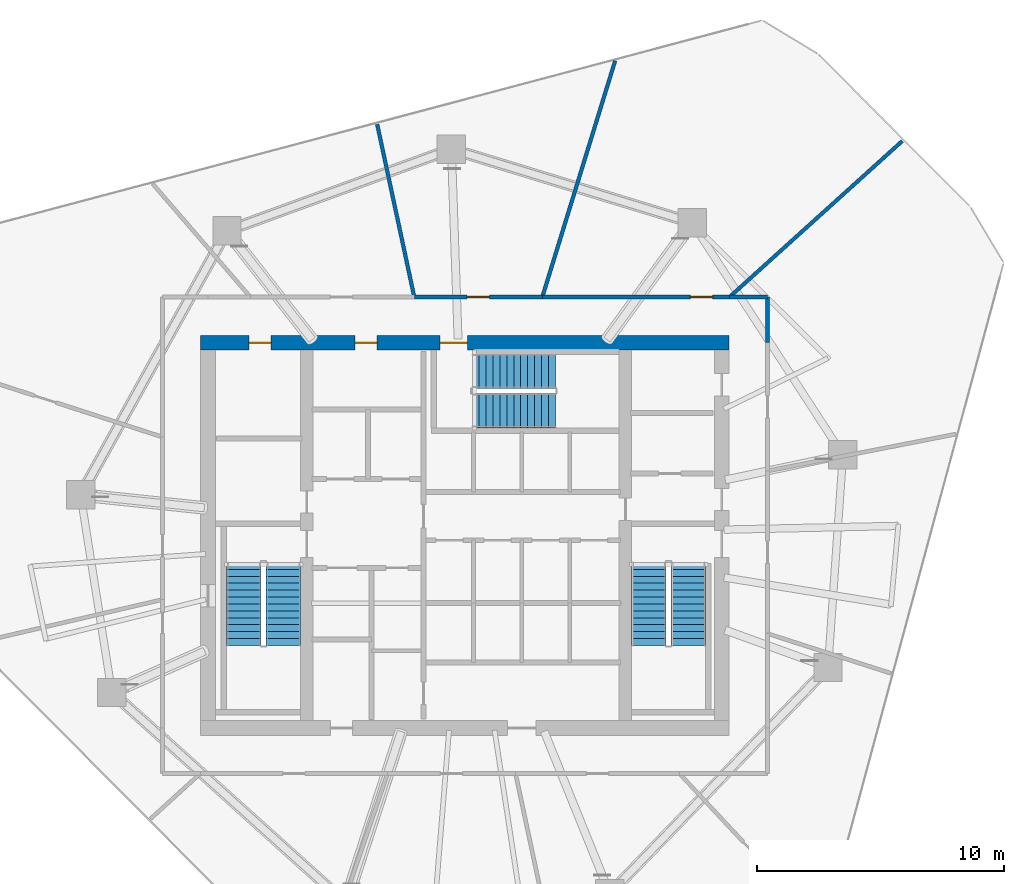
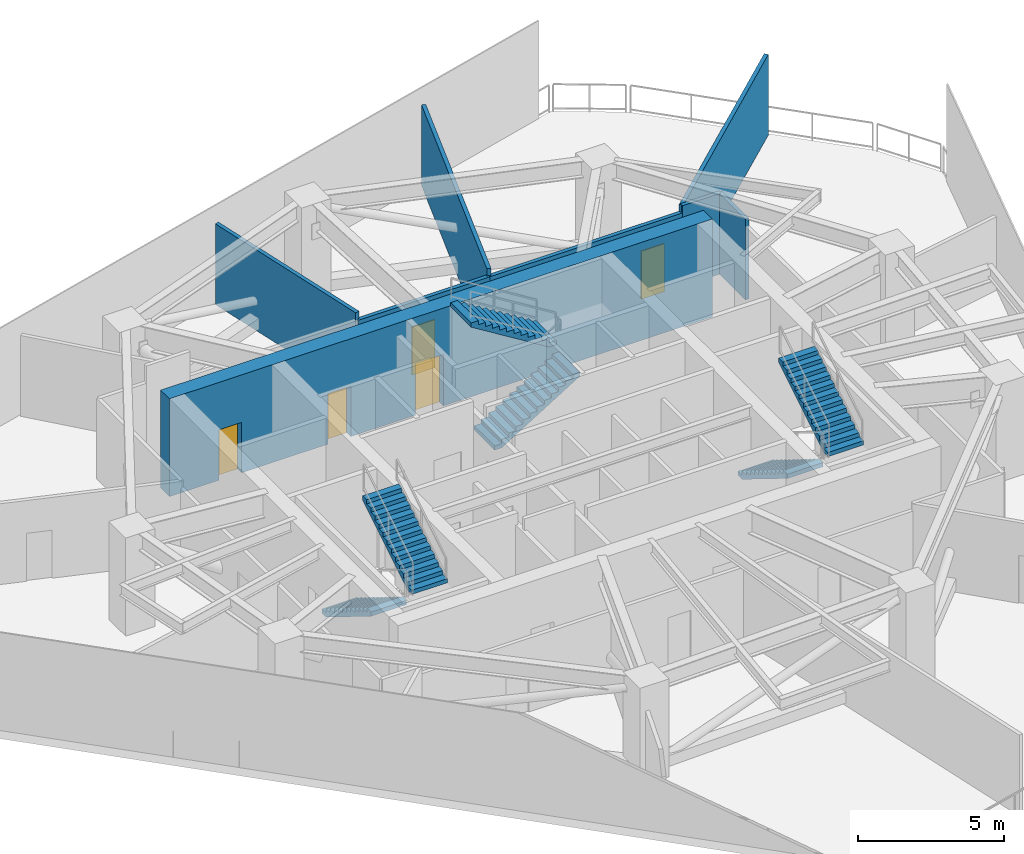
# One storey, part 5 of 7: 8 walls, 6 stair flights, 5 doors, 5 openings, 3 elements without a shape of their own.
"""IFC4 building model written with IfcOpenShell, lengths in metres."""

import ifcopenshell
import ifcopenshell.guid

model = None  # the IFC model being written
_history = None  # IfcOwnerHistory: only IFC2X3 demands one
_inside = {}  # id of a spatial element -> (the spatial element, [elements in it])
_under = {}  # id of a project, library or spatial element -> (it, [spatial elements below it])
_declared = {}  # id of a project -> (the project, [libraries it declares])
_typed = {}  # id of a type object -> (the type object, [elements of that type])
_made_of = {}  # id of a material, layer set ... -> (it, [elements and type objects made of it])


def new_model(schema):
    """Start an empty IFC model of exactly this schema.

    Asked for "IFC4X3", IfcOpenShell would pick the latest addendum, in which some entities
    have other attributes; the version numbers below select the first issue.
    IFC2X3 requires an IfcOwnerHistory on every rooted entity: one is made here for all.
    """
    global model, _history
    if schema == "IFC4X3":
        model = ifcopenshell.file(schema_version=(4, 3, 0, 0))
    else:
        model = ifcopenshell.file(schema=schema)
    _inside.clear()
    _under.clear()
    _declared.clear()
    _typed.clear()
    _made_of.clear()
    _history = None
    if model.schema == "IFC2X3":
        org = make("IfcOrganization", Name="unknown")
        user = make(
            "IfcPersonAndOrganization",
            ThePerson=make("IfcPerson", FamilyName="unknown"),
            TheOrganization=org,
        )
        app = make(
            "IfcApplication",
            ApplicationDeveloper=org,
            Version="unknown",
            ApplicationFullName="unknown",
            ApplicationIdentifier="unknown",
        )
        _history = make(
            "IfcOwnerHistory",
            OwningUser=user,
            OwningApplication=app,
            ChangeAction="ADDED",
            CreationDate=0,
        )
    return model


def make(cls, **values):
    """One entity of the class cls with the attributes given. An attribute that is None is left unset."""
    return model.create_entity(
        cls, **{name: value for name, value in values.items() if value is not None}
    )


def rooted(cls, **values):
    """An entity with a GlobalId (a new one), such as an element, a storey or a relation."""
    return make(cls, GlobalId=ifcopenshell.guid.new(), OwnerHistory=_history, **values)


def si_unit(unit_type, name, prefix=None):
    """IfcSIUnit, for example si_unit("LENGTHUNIT", "METRE", prefix="MILLI")."""
    return make("IfcSIUnit", UnitType=unit_type, Prefix=prefix, Name=name)


def assignment(units):
    """IfcUnitAssignment: the units of a project."""
    return None if units is None else make("IfcUnitAssignment", Units=units)


def point(xyz):
    """IfcCartesianPoint."""
    return None if xyz is None else make("IfcCartesianPoint", Coordinates=xyz)


def direction(xyz):
    """IfcDirection."""
    return None if xyz is None else make("IfcDirection", DirectionRatios=xyz)


def frame(location, z_axis=None, x_axis=None):
    """IfcAxis2Placement3D, a coordinate frame: its origin and axes. An axis left out is left unset."""
    return make(
        "IfcAxis2Placement3D",
        Location=point(location),
        Axis=direction(z_axis),
        RefDirection=direction(x_axis),
    )


def frame_2d(location, x_axis=None):
    """IfcAxis2Placement2D, a coordinate frame in the plane: its origin and x axis."""
    return make(
        "IfcAxis2Placement2D", Location=point(location), RefDirection=direction(x_axis)
    )


def origin():
    """The frame at (0, 0, 0) with its axes left unset."""
    return frame((0.0, 0.0, 0.0))


def place(relative_to, where):
    """IfcLocalPlacement: puts the frame where relative to a parent placement (None: the world)."""
    return make(
        "IfcLocalPlacement", PlacementRelTo=relative_to, RelativePlacement=where
    )


def context(
    kind, dimensions, precision=None, world=None, true_north=None, identifier=None
):
    """IfcGeometricRepresentationContext, for example the 3D "Model" context."""
    return make(
        "IfcGeometricRepresentationContext",
        ContextIdentifier=identifier,
        ContextType=kind,
        CoordinateSpaceDimension=dimensions,
        Precision=precision,
        WorldCoordinateSystem=world,
        TrueNorth=true_north,
    )


def subcontext(parent, identifier, kind, view, scale=None):
    """IfcGeometricRepresentationSubContext, for example "Body" below "Model"."""
    return make(
        "IfcGeometricRepresentationSubContext",
        ContextIdentifier=identifier,
        ContextType=kind,
        ParentContext=parent,
        TargetScale=scale,
        TargetView=view,
    )


def project(units=None, contexts=None):
    """IfcProject with its units and contexts."""
    return rooted(
        "IfcProject",
        Name="project",
        RepresentationContexts=contexts,
        UnitsInContext=assignment(units),
    )


def spatial(cls, under=None, at=None, **own):
    """A site, building, storey or space (cls), placed at a placement, below another one or the project."""
    s = rooted(cls, ObjectPlacement=at, **own)
    if under is not None:
        _under.setdefault(under.id(), (under, []))[1].append(s)
    return s


def polyline(points):
    """IfcPolyline through the points."""
    return make("IfcPolyline", Points=[point(p) for p in points])


def profile(cls, at=None, kind="AREA", **sizes):
    """A parametric profile (cls). Its sizes go by their IFC names, for example OverallWidth=200.0."""
    return make(cls, ProfileType=kind, Position=at, **sizes)


def rectangle(**sizes):
    """IfcRectangleProfileDef."""
    return profile("IfcRectangleProfileDef", **sizes)


def outline(outer, holes=None, kind="AREA"):
    """IfcArbitraryClosedProfileDef: a profile drawn as a closed curve; with holes, ...WithVoids."""
    if holes is None:
        return make("IfcArbitraryClosedProfileDef", ProfileType=kind, OuterCurve=outer)
    return make(
        "IfcArbitraryProfileDefWithVoids",
        ProfileType=kind,
        OuterCurve=outer,
        InnerCurves=holes,
    )


def extrude(swept, where, along, depth):
    """IfcExtrudedAreaSolid: the profile swept, set in the frame where, extruded along a direction by depth."""
    return make(
        "IfcExtrudedAreaSolid",
        SweptArea=swept,
        Position=where,
        ExtrudedDirection=direction(along),
        Depth=depth,
    )


def shape(context_of_items, identifier, shape_type, items):
    """IfcShapeRepresentation: the items that make up one representation, for example the "Body"."""
    return make(
        "IfcShapeRepresentation",
        ContextOfItems=context_of_items,
        RepresentationIdentifier=identifier,
        RepresentationType=shape_type,
        Items=items,
    )


def material(Name=None, Category=None):
    """IfcMaterial."""
    return make("IfcMaterial", Name=Name, Category=Category)


def layer(
    of_material, thickness, ventilated=None, Name=None, Category=None, Priority=None
):
    """IfcMaterialLayer: one layer of a wall or slab, of a material (None: an air gap)."""
    return make(
        "IfcMaterialLayer",
        Material=of_material,
        LayerThickness=thickness,
        IsVentilated=ventilated,
        Name=Name,
        Category=Category,
        Priority=Priority,
    )


def layer_set(layers, Name=None):
    """IfcMaterialLayerSet."""
    return make("IfcMaterialLayerSet", MaterialLayers=layers, LayerSetName=Name)


def made_of(thing, what):
    """Note that an element or type object is made of a material, layer set ...; save() writes the relation."""
    if what is not None:
        _made_of.setdefault(what.id(), (what, []))[1].append(thing)
    return thing


def type_object(cls, material=None, **own):
    """A type object (cls), such as IfcWallType, which elements share."""
    return made_of(rooted(cls, **own), material)


def element(
    cls,
    number,
    at=None,
    inside=None,
    cuts=None,
    type_object=None,
    material=None,
    context=None,
    identifier="Body",
    shape_type=None,
    held_by="IfcProductDefinitionShape",
    body=None,
    shapes=None,
    **own,
):
    """One element of the class cls, such as IfcWall. Its Tag is "e" and its number.

    at: its placement. inside: the storey or other place that contains it. cuts: it is an
    opening in that element (IfcRelVoidsElement). A single representation is given by context,
    identifier, shape_type and body (its items); several are given by shapes. held_by: the class
    of the entity that holds the representations. save() writes the other relations.
    """
    e = rooted(cls, Tag="e%d" % number, ObjectPlacement=at, **own)
    if body is not None:
        shapes = [shape(context, identifier, shape_type, body)]
    if shapes is not None:
        e.Representation = make(held_by, Representations=shapes)
    if inside is not None:
        _inside.setdefault(inside.id(), (inside, []))[1].append(e)
    if cuts is not None:
        rooted(
            "IfcRelVoidsElement", RelatingBuildingElement=cuts, RelatedOpeningElement=e
        )
    if type_object is not None:
        _typed.setdefault(type_object.id(), (type_object, []))[1].append(e)
    return made_of(e, material)


def fill(opening, filler):
    """IfcRelFillsElement: the door or window that sits in an opening."""
    return rooted(
        "IfcRelFillsElement",
        RelatingOpeningElement=opening,
        RelatedBuildingElement=filler,
    )


def aggregate(whole, parts):
    """IfcRelAggregates: a whole, such as a stair, and the parts it consists of."""
    return rooted("IfcRelAggregates", RelatingObject=whole, RelatedObjects=parts)


def save(model, path):
    """Write the relations noted so far, then the file.

    IfcRelAggregates (storeys below a building ...), IfcRelContainedInSpatialStructure (elements
    in a storey), IfcRelDefinesByType, IfcRelAssociatesMaterial and IfcRelDeclares: one each for
    every whole, place, type object, material and project.
    """
    for whole, parts in _under.values():
        aggregate(whole, parts)
    for where, things in _inside.values():
        rooted(
            "IfcRelContainedInSpatialStructure",
            RelatedElements=things,
            RelatingStructure=where,
        )
    for kind, things in _typed.values():
        rooted("IfcRelDefinesByType", RelatedObjects=things, RelatingType=kind)
    for what, things in _made_of.values():
        rooted("IfcRelAssociatesMaterial", RelatedObjects=things, RelatingMaterial=what)
    for by, libraries in _declared.values():
        rooted("IfcRelDeclares", RelatingContext=by, RelatedDefinitions=libraries)
    model.write(path)


model = new_model("IFC4")

# Units and contexts
model_context = context("Model", 3, precision=1e-05, world=origin(), true_north=direction((0.0, 1.0)))
body_context = subcontext(model_context, "Body", "Model", "MODEL_VIEW")
ifc_project = project(units=[si_unit("LENGTHUNIT", "METRE"), si_unit("AREAUNIT", "SQUARE_METRE"), si_unit("VOLUMEUNIT", "CUBIC_METRE"), si_unit("PLANEANGLEUNIT", "RADIAN"), si_unit("MASSUNIT", "GRAM", prefix="KILO")], contexts=[model_context])

# Site, building, storey
site_placement = place(None, origin())
site = spatial("IfcSite", under=ifc_project, at=site_placement, CompositionType="ELEMENT")
building_placement = place(site_placement, origin())
building = spatial("IfcBuilding", under=site, at=building_placement, Name="Qarnah Convention Tower", CompositionType="ELEMENT")
storey_placement = place(building_placement, frame((0.0, 0.0, 121.199951171875)))
storey = spatial("IfcBuildingStorey", under=building, at=storey_placement, Name="L32", CompositionType="ELEMENT", Elevation=121.199951171875)

# Wall, openings, doors
ifc_material_1 = material(Name="Concrete C60/75", Category="concrete")
ifc_layer_1 = layer(ifc_material_1, 0.60009765625)
ifc_layer_set_1 = layer_set([ifc_layer_1], Name="Concrete C60/75")
wall_type_1 = type_object("IfcWallType", Name="WL-CORE-600", PredefinedType="SHEAR", material=ifc_layer_set_1)
wall_1_placement = place(storey_placement, frame((26.5, 34.199951171875, 0.0), z_axis=(0.0, 0.0, 1.0), x_axis=(1.0, 0.0, 0.0)))
wall_1 = element("IfcWall", 1, at=wall_1_placement, inside=storey, type_object=wall_type_1, Name="L32 core north shear wall", PredefinedType="SHEAR", context=body_context, shape_type="SweptSolid", body=[
    extrude(rectangle(XDim=21.39990234375, YDim=0.60009765625, at=frame_2d((10.699951171875, 0.0))), origin(), (0.0, 0.0, 1.0), 4.080078125),
])
opening_1_placement = place(wall_1_placement, frame((9.699951171875, 0.0, 0.0)))
opening_1 = element("IfcOpeningElement", 2, at=opening_1_placement, cuts=wall_1, Name="Opening D-3203", PredefinedType="OPENING", context=body_context, shape_type="SweptSolid", body=[
    extrude(rectangle(XDim=1.10009765625, YDim=2.14990234375, at=frame_2d((0.550048828125, 1.074951171875))), frame((0.0, 0.31005859375, 0.0), z_axis=(0.0, -1.0, 0.0), x_axis=(1.0, 0.0, 0.0)), (0.0, 0.0, 1.0), 0.6201171875),
])
opening_2_placement = place(wall_1_placement, frame((1.949951171875, 0.0, 0.0)))
opening_2 = element("IfcOpeningElement", 3, at=opening_2_placement, cuts=wall_1, Name="Opening D-3209", PredefinedType="OPENING", context=body_context, shape_type="SweptSolid", body=[
    extrude(rectangle(XDim=0.89990234375, YDim=2.10009765625, at=frame_2d((0.449951171875, 1.050048828125))), frame((0.0, 0.31005859375, 0.0), z_axis=(0.0, -1.0, 0.0), x_axis=(1.0, 0.0, 0.0)), (0.0, 0.0, 1.0), 0.6201171875),
])
opening_3_placement = place(wall_1_placement, frame((6.25, 0.0, 0.0)))
opening_3 = element("IfcOpeningElement", 4, at=opening_3_placement, cuts=wall_1, Name="Opening D-3210", PredefinedType="OPENING", context=body_context, shape_type="SweptSolid", body=[
    extrude(rectangle(XDim=0.89990234375, YDim=2.10009765625, at=frame_2d((0.449951171875, 1.050048828125))), frame((0.0, 0.31005859375, 0.0), z_axis=(0.0, -1.0, 0.0), x_axis=(1.0, 0.0, 0.0)), (0.0, 0.0, 1.0), 0.6201171875),
])
ifc_material_2 = material(Name="Structural steel S355JR", Category="steel")
door_type_1 = type_object("IfcDoorType", Name="DT-RISER-900", OperationType="NOTDEFINED", PredefinedType="DOOR", material=ifc_material_2)
door_1_placement = place(opening_2_placement, origin())
door_1 = element("IfcDoor", 5, at=door_1_placement, inside=storey, type_object=door_type_1, Name="Door D-3209", OperationType="SINGLE_SWING_RIGHT", OverallHeight=2.10009765625, OverallWidth=0.89990234375, PredefinedType="DOOR", context=body_context, shape_type="SweptSolid", body=[
    extrude(rectangle(XDim=0.89990234375, YDim=2.10009765625, at=frame_2d((0.449951171875, 1.050048828125))), frame((0.0, 0.02490234375, 0.0), z_axis=(0.0, -1.0, 0.0), x_axis=(1.0, 0.0, 0.0)), (0.0, 0.0, 1.0), 0.050048828125),
])
fill(opening_2, door_1)
door_2_placement = place(opening_3_placement, origin())
door_2 = element("IfcDoor", 6, at=door_2_placement, inside=storey, type_object=door_type_1, Name="Door D-3210", OperationType="SINGLE_SWING_LEFT", OverallHeight=2.10009765625, OverallWidth=0.89990234375, PredefinedType="DOOR", context=body_context, shape_type="SweptSolid", body=[
    extrude(rectangle(XDim=0.89990234375, YDim=2.10009765625, at=frame_2d((0.449951171875, 1.050048828125))), frame((0.0, 0.02490234375, 0.0), z_axis=(0.0, -1.0, 0.0), x_axis=(1.0, 0.0, 0.0)), (0.0, 0.0, 1.0), 0.050048828125),
])
fill(opening_3, door_2)
door_type_2 = type_object("IfcDoorType", Name="DT-STAIR-1100", OperationType="NOTDEFINED", PredefinedType="DOOR", material=ifc_material_2)
door_3_placement = place(opening_1_placement, origin())
door_3 = element("IfcDoor", 7, at=door_3_placement, inside=storey, type_object=door_type_2, Name="Door D-3203", OperationType="SINGLE_SWING_RIGHT", OverallHeight=2.14990234375, OverallWidth=1.10009765625, PredefinedType="DOOR", context=body_context, shape_type="SweptSolid", body=[
    extrude(rectangle(XDim=1.10009765625, YDim=2.14990234375, at=frame_2d((0.550048828125, 1.074951171875))), frame((0.0, 0.02490234375, 0.0), z_axis=(0.0, -1.0, 0.0), x_axis=(1.0, 0.0, 0.0)), (0.0, 0.0, 1.0), 0.050048828125),
])
fill(opening_1, door_3)

# Walls
ifc_material_3 = material(Name="Gypsum partition board")
ifc_layer_2 = layer(ifc_material_3, 0.14990234375)
ifc_layer_set_2 = layer_set([ifc_layer_2], Name="Gypsum partition board")
wall_type_2 = type_object("IfcWallType", Name="WL-SUITE-150", PredefinedType="PARTITIONING", material=ifc_layer_set_2)
wall_2_placement = place(storey_placement, frame((54.9130859375, 42.367919921875, 0.0), z_axis=(0.0, 0.0, 1.0), x_axis=(-0.742164975515, -0.670217240242, 0.0)))
element("IfcWall", 8, at=wall_2_placement, inside=storey, type_object=wall_type_2, Name="L32 interior wall IW-L32-R-01", PredefinedType="PARTITIONING", context=body_context, shape_type="SweptSolid", body=[
    extrude(rectangle(XDim=9.426513671875, YDim=0.14990234375, at=frame_2d((4.71337890625, 0.0))), origin(), (0.0, 0.0, 1.0), 3.364990234375),
])
wall_3_placement = place(storey_placement, frame((47.9169921875, 36.050048828125, 0.0), z_axis=(0.0, 0.0, 1.0), x_axis=(1.0, 0.0, 0.0)))
element("IfcWall", 9, at=wall_3_placement, inside=storey, type_object=wall_type_2, Name="L32 interior wall IW-L32-R-02", PredefinedType="PARTITIONING", context=body_context, shape_type="SweptSolid", body=[
    extrude(rectangle(XDim=1.532958984375, YDim=0.14990234375, at=frame_2d((0.7666015625, 0.0))), origin(), (0.0, 0.0, 1.0), 3.364990234375),
])
wall_4_placement = place(storey_placement, frame((49.449951171875, 36.050048828125, 0.0), z_axis=(0.0, 0.0, 1.0), x_axis=(0.0, -1.0, 0.0)))
element("IfcWall", 10, at=wall_4_placement, inside=storey, type_object=wall_type_2, Name="L32 interior wall IW-L32-R-03", PredefinedType="PARTITIONING", context=body_context, shape_type="SweptSolid", body=[
    extrude(rectangle(XDim=1.85009765625, YDim=0.14990234375, at=frame_2d((0.925048828125, 0.0))), origin(), (0.0, 0.0, 1.0), 3.364990234375),
])
wall_5_placement = place(storey_placement, frame((43.282958984375, 45.611083984375, 0.0), z_axis=(0.0, 0.0, 1.0), x_axis=(-0.294646502068, -0.955606319998, 0.0)))
element("IfcWall", 11, at=wall_5_placement, inside=storey, type_object=wall_type_2, Name="L32 interior wall IW-L32-R-06", PredefinedType="PARTITIONING", context=body_context, shape_type="SweptSolid", body=[
    extrude(rectangle(XDim=10.005126953125, YDim=0.14990234375, at=frame_2d((5.00244140625, 0.0))), origin(), (0.0, 0.0, 1.0), 3.364990234375),
])

# Wall, opening, door
wall_6_placement = place(storey_placement, frame((40.3349609375, 36.050048828125, 0.0), z_axis=(0.0, 0.0, 1.0), x_axis=(1.0, 0.0, 0.0)))
wall_6 = element("IfcWall", 12, at=wall_6_placement, inside=storey, type_object=wall_type_2, Name="L32 interior wall IW-L32-R-07", PredefinedType="PARTITIONING", context=body_context, shape_type="SweptSolid", body=[
    extrude(rectangle(XDim=7.58203125, YDim=0.14990234375, at=frame_2d((3.791015625, 0.0))), origin(), (0.0, 0.0, 1.0), 3.06494140625),
])
opening_4_placement = place(wall_6_placement, frame((5.9990234375, 0.0, 0.0)))
opening_4 = element("IfcOpeningElement", 13, at=opening_4_placement, cuts=wall_6, Name="Opening D-3217", PredefinedType="OPENING", context=body_context, shape_type="SweptSolid", body=[
    extrude(rectangle(XDim=0.89990234375, YDim=2.0, at=frame_2d((0.449951171875, 1.0))), frame((0.0, 0.0849609375, 0.0), z_axis=(0.0, -1.0, 0.0), x_axis=(1.0, 0.0, 0.0)), (0.0, 0.0, 1.0), 0.169921875),
])
door_type_3 = type_object("IfcDoorType", Name="DT-PLANT-900", OperationType="NOTDEFINED", PredefinedType="DOOR", material=ifc_material_2)
door_4_placement = place(opening_4_placement, origin())
door_4 = element("IfcDoor", 14, at=door_4_placement, inside=storey, type_object=door_type_3, Name="Door D-3217", OperationType="SINGLE_SWING_RIGHT", OverallHeight=2.0, OverallWidth=0.89990234375, PredefinedType="DOOR", context=body_context, shape_type="SweptSolid", body=[
    extrude(rectangle(XDim=0.89990234375, YDim=2.0, at=frame_2d((0.449951171875, 1.0))), frame((0.0, 0.02490234375, 0.0), z_axis=(0.0, -1.0, 0.0), x_axis=(1.0, 0.0, 0.0)), (0.0, 0.0, 1.0), 0.050048828125),
])
fill(opening_4, door_4)

# Wall
wall_7_placement = place(storey_placement, frame((33.64892578125, 43.0380859375, 0.0), z_axis=(0.0, 0.0, 1.0), x_axis=(0.209871997411, -0.977728870752, 0.0)))
element("IfcWall", 15, at=wall_7_placement, inside=storey, type_object=wall_type_2, Name="L32 interior wall IW-L32-R-08", PredefinedType="PARTITIONING", context=body_context, shape_type="SweptSolid", body=[
    extrude(rectangle(XDim=7.147216796875, YDim=0.14990234375, at=frame_2d((3.57373046875, 0.0))), origin(), (0.0, 0.0, 1.0), 3.364990234375),
])

# Wall, opening, door
wall_8_placement = place(storey_placement, frame((35.14892578125, 36.050048828125, 0.0), z_axis=(0.0, 0.0, 1.0), x_axis=(1.0, 0.0, 0.0)))
wall_8 = element("IfcWall", 16, at=wall_8_placement, inside=storey, type_object=wall_type_2, Name="L32 interior wall IW-L32-R-09", PredefinedType="PARTITIONING", context=body_context, shape_type="SweptSolid", body=[
    extrude(rectangle(XDim=5.18603515625, YDim=0.14990234375, at=frame_2d((2.593017578125, 0.0))), origin(), (0.0, 0.0, 1.0), 3.06494140625),
])
opening_5_placement = place(wall_8_placement, frame((2.14306640625, 0.0, 0.0)))
opening_5 = element("IfcOpeningElement", 17, at=opening_5_placement, cuts=wall_8, Name="Opening D-3218", PredefinedType="OPENING", context=body_context, shape_type="SweptSolid", body=[
    extrude(rectangle(XDim=0.89990234375, YDim=2.0, at=frame_2d((0.449951171875, 1.0))), frame((0.0, 0.0849609375, 0.0), z_axis=(0.0, -1.0, 0.0), x_axis=(1.0, 0.0, 0.0)), (0.0, 0.0, 1.0), 0.169921875),
])
door_5_placement = place(opening_5_placement, origin())
door_5 = element("IfcDoor", 18, at=door_5_placement, inside=storey, type_object=door_type_3, Name="Door D-3218", OperationType="SINGLE_SWING_LEFT", OverallHeight=2.0, OverallWidth=0.89990234375, PredefinedType="DOOR", context=body_context, shape_type="SweptSolid", body=[
    extrude(rectangle(XDim=0.89990234375, YDim=2.0, at=frame_2d((0.449951171875, 1.0))), frame((0.0, 0.02490234375, 0.0), z_axis=(0.0, -1.0, 0.0), x_axis=(1.0, 0.0, 0.0)), (0.0, 0.0, 1.0), 0.050048828125),
])
fill(opening_5, door_5)

# Stair, stair flights
ifc_material_4 = material(Name="Concrete C50/60", Category="concrete")
stair_type = type_object("IfcStairType", Name="STR-PLT", PredefinedType="HALF_TURN_STAIR", material=ifc_material_4)
stair_1_placement = place(storey_placement, origin())
stair_1 = element("IfcStair", 19, at=stair_1_placement, inside=storey, type_object=stair_type, Name="L32 Core exit stair ST-1", PredefinedType="HALF_TURN_STAIR")
stair_flight_type = type_object("IfcStairFlightType", Name="FLT-PLT", PredefinedType="STRAIGHT", material=ifc_material_4)
stair_flight_1_placement = place(storey_placement, frame((28.25, 25.300048828125, 0.0), z_axis=(0.0, 0.0, 1.0), x_axis=(0.0, -1.0, 0.0)))
stair_flight_1 = element("IfcStairFlight", 20, at=stair_flight_1_placement, type_object=stair_flight_type, Name="ST-1 flight 1", NumberOfRisers=13, NumberOfTreads=12, PredefinedType="STRAIGHT", RiserHeight=0.173076923, TreadLength=0.28, context=body_context, shape_type="SweptSolid", body=[
    extrude(outline(polyline([(0.0, 0.0), (0.0, 0.173095703125), (0.280029296875, 0.173095703125), (0.280029296875, 0.34619140625), (0.56005859375, 0.34619140625), (0.56005859375, 0.519287109375), (0.840087890625, 0.519287109375), (0.840087890625, 0.6923828125), (1.1201171875, 0.6923828125), (1.1201171875, 0.865478515625), (1.39990234375, 0.865478515625), (1.39990234375, 1.03857421875), (1.679931640625, 1.03857421875), (1.679931640625, 1.21142578125), (1.9599609375, 1.21142578125), (1.9599609375, 1.384521484375), (2.239990234375, 1.384521484375), (2.239990234375, 1.5576171875), (2.52001953125, 1.5576171875), (2.52001953125, 1.730712890625), (2.800048828125, 1.730712890625), (2.800048828125, 1.90380859375), (3.080078125, 1.90380859375), (3.080078125, 2.076904296875), (3.360107421875, 2.076904296875), (3.360107421875, 2.25), (3.360107421875, 1.900634765625), (0.28515625, 0.0), (0.0, 0.0)])), frame((0.0, 0.699951171875, 0.0), z_axis=(0.0, -1.0, 0.0), x_axis=(1.0, 0.0, 0.0)), (0.0, 0.0, 1.0), 1.39990234375),
])
stair_flight_2_placement = place(storey_placement, frame((29.85009765625, 21.93994140625, 2.25), z_axis=(0.0, 0.0, 1.0), x_axis=(0.0, 1.0, 0.0)))
stair_flight_2 = element("IfcStairFlight", 21, at=stair_flight_2_placement, type_object=stair_flight_type, Name="ST-1 flight 2", NumberOfRisers=13, NumberOfTreads=12, PredefinedType="STRAIGHT", RiserHeight=0.173076923, TreadLength=0.28, context=body_context, shape_type="SweptSolid", body=[
    extrude(outline(polyline([(0.0, 0.0), (0.0, 0.173095703125), (0.280029296875, 0.173095703125), (0.280029296875, 0.34619140625), (0.56005859375, 0.34619140625), (0.56005859375, 0.519287109375), (0.840087890625, 0.519287109375), (0.840087890625, 0.6923828125), (1.1201171875, 0.6923828125), (1.1201171875, 0.865478515625), (1.39990234375, 0.865478515625), (1.39990234375, 1.03857421875), (1.679931640625, 1.03857421875), (1.679931640625, 1.21142578125), (1.9599609375, 1.21142578125), (1.9599609375, 1.384521484375), (2.239990234375, 1.384521484375), (2.239990234375, 1.5576171875), (2.52001953125, 1.5576171875), (2.52001953125, 1.730712890625), (2.800048828125, 1.730712890625), (2.800048828125, 1.90380859375), (3.080078125, 1.90380859375), (3.080078125, 2.076904296875), (3.360107421875, 2.076904296875), (3.360107421875, 2.25), (3.360107421875, 1.900634765625), (0.28515625, 0.0), (0.0, 0.0)])), frame((0.0, 0.699951171875, 0.0), z_axis=(0.0, -1.0, 0.0), x_axis=(1.0, 0.0, 0.0)), (0.0, 0.0, 1.0), 1.39990234375),
])
aggregate(stair_1, [stair_flight_1, stair_flight_2])

stair_2_placement = place(storey_placement, origin())
stair_2 = element("IfcStair", 22, at=stair_2_placement, inside=storey, type_object=stair_type, Name="L32 Core exit stair ST-2", PredefinedType="HALF_TURN_STAIR")
stair_flight_3_placement = place(storey_placement, frame((44.64990234375, 25.300048828125, 0.0), z_axis=(0.0, 0.0, 1.0), x_axis=(0.0, -1.0, 0.0)))
stair_flight_3 = element("IfcStairFlight", 23, at=stair_flight_3_placement, type_object=stair_flight_type, Name="ST-2 flight 1", NumberOfRisers=13, NumberOfTreads=12, PredefinedType="STRAIGHT", RiserHeight=0.173076923, TreadLength=0.28, context=body_context, shape_type="SweptSolid", body=[
    extrude(outline(polyline([(0.0, 0.0), (0.0, 0.173095703125), (0.280029296875, 0.173095703125), (0.280029296875, 0.34619140625), (0.56005859375, 0.34619140625), (0.56005859375, 0.519287109375), (0.840087890625, 0.519287109375), (0.840087890625, 0.6923828125), (1.1201171875, 0.6923828125), (1.1201171875, 0.865478515625), (1.39990234375, 0.865478515625), (1.39990234375, 1.03857421875), (1.679931640625, 1.03857421875), (1.679931640625, 1.21142578125), (1.9599609375, 1.21142578125), (1.9599609375, 1.384521484375), (2.239990234375, 1.384521484375), (2.239990234375, 1.5576171875), (2.52001953125, 1.5576171875), (2.52001953125, 1.730712890625), (2.800048828125, 1.730712890625), (2.800048828125, 1.90380859375), (3.080078125, 1.90380859375), (3.080078125, 2.076904296875), (3.360107421875, 2.076904296875), (3.360107421875, 2.25), (3.360107421875, 1.900634765625), (0.28515625, 0.0), (0.0, 0.0)])), frame((0.0, 0.699951171875, 0.0), z_axis=(0.0, -1.0, 0.0), x_axis=(1.0, 0.0, 0.0)), (0.0, 0.0, 1.0), 1.39990234375),
])
stair_flight_4_placement = place(storey_placement, frame((46.25, 21.93994140625, 2.25), z_axis=(0.0, 0.0, 1.0), x_axis=(0.0, 1.0, 0.0)))
stair_flight_4 = element("IfcStairFlight", 24, at=stair_flight_4_placement, type_object=stair_flight_type, Name="ST-2 flight 2", NumberOfRisers=13, NumberOfTreads=12, PredefinedType="STRAIGHT", RiserHeight=0.173076923, TreadLength=0.28, context=body_context, shape_type="SweptSolid", body=[
    extrude(outline(polyline([(0.0, 0.0), (0.0, 0.173095703125), (0.280029296875, 0.173095703125), (0.280029296875, 0.34619140625), (0.56005859375, 0.34619140625), (0.56005859375, 0.519287109375), (0.840087890625, 0.519287109375), (0.840087890625, 0.6923828125), (1.1201171875, 0.6923828125), (1.1201171875, 0.865478515625), (1.39990234375, 0.865478515625), (1.39990234375, 1.03857421875), (1.679931640625, 1.03857421875), (1.679931640625, 1.21142578125), (1.9599609375, 1.21142578125), (1.9599609375, 1.384521484375), (2.239990234375, 1.384521484375), (2.239990234375, 1.5576171875), (2.52001953125, 1.5576171875), (2.52001953125, 1.730712890625), (2.800048828125, 1.730712890625), (2.800048828125, 1.90380859375), (3.080078125, 1.90380859375), (3.080078125, 2.076904296875), (3.360107421875, 2.076904296875), (3.360107421875, 2.25), (3.360107421875, 1.900634765625), (0.28515625, 0.0), (0.0, 0.0)])), frame((0.0, 0.699951171875, 0.0), z_axis=(0.0, -1.0, 0.0), x_axis=(1.0, 0.0, 0.0)), (0.0, 0.0, 1.0), 1.39990234375),
])
aggregate(stair_2, [stair_flight_3, stair_flight_4])

stair_3_placement = place(storey_placement, origin())
stair_3 = element("IfcStair", 25, at=stair_3_placement, inside=storey, type_object=stair_type, Name="L32 Core exit stair ST-3", PredefinedType="HALF_TURN_STAIR")
stair_flight_5_placement = place(storey_placement, frame((37.5, 31.449951171875, 0.0), z_axis=(0.0, 0.0, 1.0), x_axis=(1.0, 0.0, 0.0)))
stair_flight_5 = element("IfcStairFlight", 26, at=stair_flight_5_placement, type_object=stair_flight_type, Name="ST-3 flight 1", NumberOfRisers=13, NumberOfTreads=12, PredefinedType="STRAIGHT", RiserHeight=0.173076923, TreadLength=0.28, context=body_context, shape_type="SweptSolid", body=[
    extrude(outline(polyline([(0.0, 0.0), (0.0, 0.173095703125), (0.280029296875, 0.173095703125), (0.280029296875, 0.34619140625), (0.56005859375, 0.34619140625), (0.56005859375, 0.519287109375), (0.840087890625, 0.519287109375), (0.840087890625, 0.6923828125), (1.1201171875, 0.6923828125), (1.1201171875, 0.865478515625), (1.39990234375, 0.865478515625), (1.39990234375, 1.03857421875), (1.679931640625, 1.03857421875), (1.679931640625, 1.21142578125), (1.9599609375, 1.21142578125), (1.9599609375, 1.384521484375), (2.239990234375, 1.384521484375), (2.239990234375, 1.5576171875), (2.52001953125, 1.5576171875), (2.52001953125, 1.730712890625), (2.800048828125, 1.730712890625), (2.800048828125, 1.90380859375), (3.080078125, 1.90380859375), (3.080078125, 2.076904296875), (3.360107421875, 2.076904296875), (3.360107421875, 2.25), (3.360107421875, 1.900634765625), (0.28515625, 0.0), (0.0, 0.0)])), frame((0.0, 0.699951171875, 0.0), z_axis=(0.0, -1.0, 0.0), x_axis=(1.0, 0.0, 0.0)), (0.0, 0.0, 1.0), 1.39990234375),
])
stair_flight_6_placement = place(storey_placement, frame((40.860107421875, 33.050048828125, 2.25), z_axis=(0.0, 0.0, 1.0), x_axis=(-1.0, 0.0, 0.0)))
stair_flight_6 = element("IfcStairFlight", 27, at=stair_flight_6_placement, type_object=stair_flight_type, Name="ST-3 flight 2", NumberOfRisers=13, NumberOfTreads=12, PredefinedType="STRAIGHT", RiserHeight=0.173076923, TreadLength=0.28, context=body_context, shape_type="SweptSolid", body=[
    extrude(outline(polyline([(0.0, 0.0), (0.0, 0.173095703125), (0.280029296875, 0.173095703125), (0.280029296875, 0.34619140625), (0.56005859375, 0.34619140625), (0.56005859375, 0.519287109375), (0.840087890625, 0.519287109375), (0.840087890625, 0.6923828125), (1.1201171875, 0.6923828125), (1.1201171875, 0.865478515625), (1.39990234375, 0.865478515625), (1.39990234375, 1.03857421875), (1.679931640625, 1.03857421875), (1.679931640625, 1.21142578125), (1.9599609375, 1.21142578125), (1.9599609375, 1.384521484375), (2.239990234375, 1.384521484375), (2.239990234375, 1.5576171875), (2.52001953125, 1.5576171875), (2.52001953125, 1.730712890625), (2.800048828125, 1.730712890625), (2.800048828125, 1.90380859375), (3.080078125, 1.90380859375), (3.080078125, 2.076904296875), (3.360107421875, 2.076904296875), (3.360107421875, 2.25), (3.360107421875, 1.900634765625), (0.28515625, 0.0), (0.0, 0.0)])), frame((0.0, 0.699951171875, 0.0), z_axis=(0.0, -1.0, 0.0), x_axis=(1.0, 0.0, 0.0)), (0.0, 0.0, 1.0), 1.39990234375),
])
aggregate(stair_3, [stair_flight_5, stair_flight_6])

save(model, "model.ifc")
